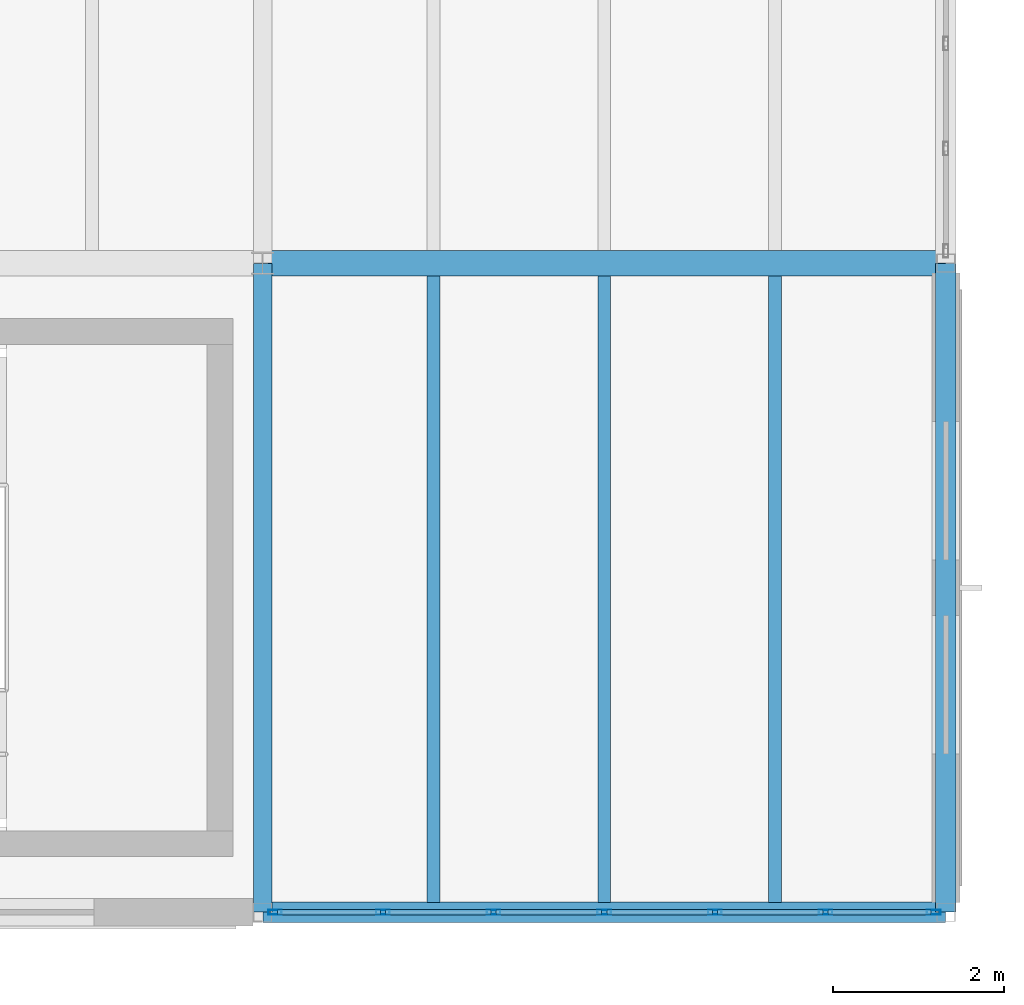
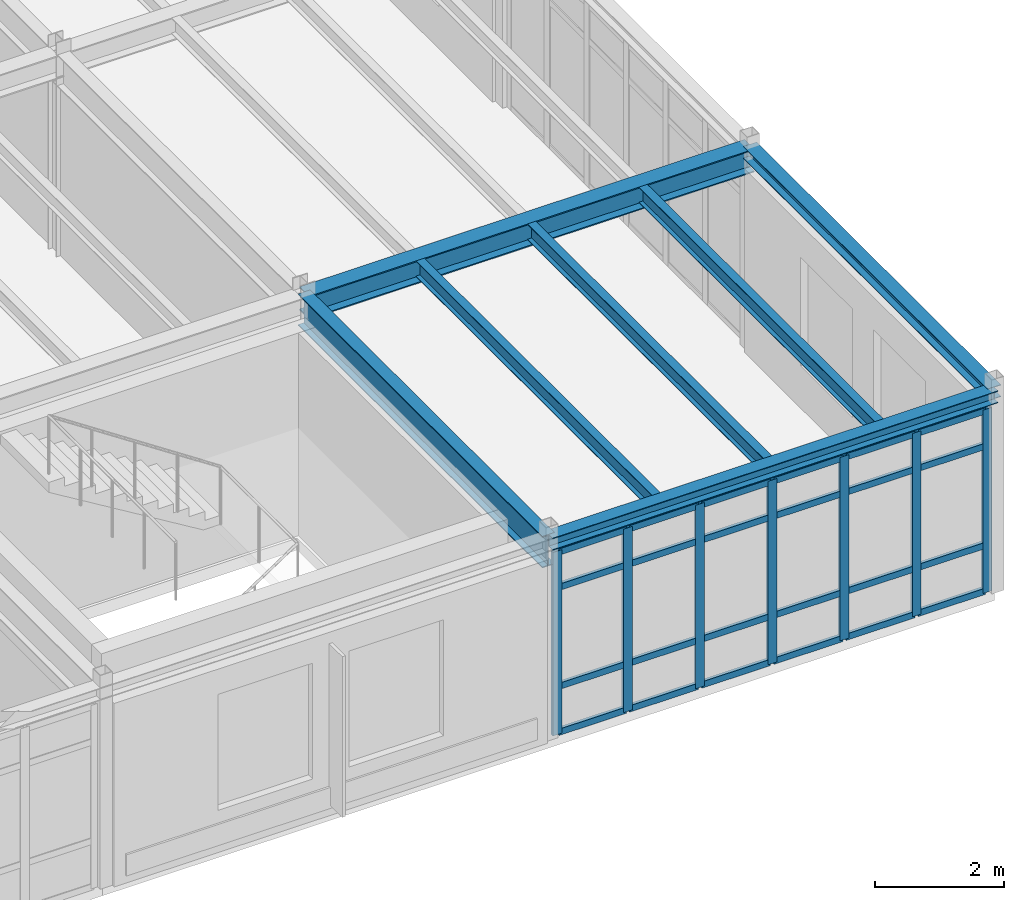
# One storey, part 60 of 114: 31 members, 7 beams, 1 element without a shape of its own.
"""IFC4 building model written with IfcOpenShell, lengths in metres."""

from ifc_helpers import new_model, si_unit, direction, frame, origin, origin_2d, place, context, subcontext, project, spatial, hollow_rectangle, i_section, extrude, material, layer, layer_set, material_profile, profile_set, type_object, element, aggregate, save


model = new_model("IFC4")

# Units and contexts
model_context = context("Model", 3, precision=1e-05, world=origin(), true_north=direction((0.0, 1.0)))
body_context = subcontext(model_context, "Body", "Model", "MODEL_VIEW")
ifc_project = project(units=[si_unit("LENGTHUNIT", "METRE"), si_unit("AREAUNIT", "SQUARE_METRE"), si_unit("VOLUMEUNIT", "CUBIC_METRE"), si_unit("PLANEANGLEUNIT", "RADIAN"), si_unit("MASSUNIT", "GRAM", prefix="KILO")], contexts=[model_context])

# Site, building, storey
site_placement = place(None, origin())
site = spatial("IfcSite", under=ifc_project, at=site_placement, CompositionType="ELEMENT")
building_placement = place(site_placement, origin())
building = spatial("IfcBuilding", under=site, at=building_placement, Name="Montecoro Central Library", CompositionType="ELEMENT")
storey_placement = place(building_placement, frame((0.0, 0.0, 13.260009765625)))
storey = spatial("IfcBuildingStorey", under=building, at=storey_placement, Name="L03", CompositionType="ELEMENT", Elevation=13.260009765625)

# Beams
ifc_material_1 = material(Name="Steel S355J2", Category="steel")
ifc_material_profile_1 = material_profile(ifc_material_1, i_section(OverallWidth=0.300048828125, OverallDepth=0.43994140625, WebThickness=0.011474609375, FlangeThickness=0.02099609375, at=origin_2d()), Name="HEA 450")
ifc_profile_set_1 = profile_set([ifc_material_profile_1], Name="Steel S355J2")
beam_type_1 = type_object("IfcBeamType", Name="BM-G-HEA450", PredefinedType="USERDEFINED", material=ifc_profile_set_1)
beam_1_placement = place(storey_placement, frame((165.0048828125, 12.60009765625, 3.60498046875), z_axis=(1.0, 0.0, 0.0), x_axis=(0.0, 1.0, 0.0)))
element("IfcBeam", 1, at=beam_1_placement, inside=storey, type_object=beam_type_1, Name="V6-L03-BX-2122-B", ObjectType="GIRDER", PredefinedType="USERDEFINED", context=body_context, shape_type="SweptSolid", body=[
    extrude(i_section(OverallWidth=0.300048828125, OverallDepth=0.43994140625, WebThickness=0.011474609375, FlangeThickness=0.02099609375, at=origin_2d()), origin(), (0.0, 0.0, 1.0), 7.990234375),
])
ifc_material_profile_2 = material_profile(ifc_material_1, i_section(OverallWidth=0.219970703125, OverallDepth=0.60009765625, WebThickness=0.011962890625, FlangeThickness=0.01904296875, at=origin_2d()), Name="IPE 600")
ifc_profile_set_2 = profile_set([ifc_material_profile_2], Name="Steel S355J2")
beam_type_2 = type_object("IfcBeamType", Name="BM-G-IPE600", PredefinedType="USERDEFINED", material=ifc_profile_set_2)
beam_2_placement = place(storey_placement, frame((165.0, 5.0048828125, 3.52490234375), z_axis=(0.0, 1.0, 0.0), x_axis=(-1.0, 0.0, 0.0)))
element("IfcBeam", 2, at=beam_2_placement, inside=storey, type_object=beam_type_2, Name="V6-L03-BY-21-AB", ObjectType="GIRDER", PredefinedType="USERDEFINED", context=body_context, shape_type="SweptSolid", body=[
    extrude(i_section(OverallWidth=0.219970703125, OverallDepth=0.60009765625, WebThickness=0.011962890625, FlangeThickness=0.01904296875, at=origin_2d()), origin(), (0.0, 0.0, 1.0), 7.590087890625),
])
ifc_material_2 = material(Name="Steel S355", Category="steel")
ifc_material_profile_3 = material_profile(ifc_material_2, i_section(OverallWidth=0.14990234375, OverallDepth=0.300048828125, WebThickness=0.007080078125, FlangeThickness=0.0107421875, at=origin_2d()), Name="IPE 300")
ifc_profile_set_3 = profile_set([ifc_material_profile_3], Name="Steel S355")
beam_type_3 = type_object("IfcBeamType", Name="BM-J-IPE300", PredefinedType="JOIST", material=ifc_profile_set_3)
for number, where, z_axis, x_axis, name in (
    (3, (167.0, 5.116943359375, 3.675048828125), (0.0, 1.0, 0.0), (-1.0, 0.0, 0.0), "V6-L03-JS-2122-AB-1"),
    (4, (169.0, 5.116943359375, 3.675048828125), (0.0, 1.0, 0.0), (-1.0, 0.0, 0.0), "V6-L03-JS-2122-AB-2"),
    (5, (171.0, 5.116943359375, 3.675048828125), (0.0, 1.0, 0.0), (-1.0, 0.0, 0.0), "V6-L03-JS-2122-AB-3"),
):
    element("IfcBeam", number, at=place(storey_placement, frame(where, z_axis=z_axis, x_axis=x_axis)), inside=storey, type_object=beam_type_3, Name=name, PredefinedType="JOIST", context=body_context, shape_type="SweptSolid", body=[
        extrude(i_section(OverallWidth=0.14990234375, OverallDepth=0.300048828125, WebThickness=0.007080078125, FlangeThickness=0.0107421875, at=origin_2d()), origin(), (0.0, 0.0, 1.0), 7.3359375),
    ])
ifc_material_profile_4 = material_profile(ifc_material_2, i_section(OverallWidth=0.239990234375, OverallDepth=0.22998046875, WebThickness=0.007568359375, FlangeThickness=0.011962890625, at=origin_2d()), Name="HEA 240")
ifc_profile_set_4 = profile_set([ifc_material_profile_4], Name="Steel S355")
beam_type_4 = type_object("IfcBeamType", Name="BM-SP-HEA240", PredefinedType="SPANDREL", material=ifc_profile_set_4)
beam_3_placement = place(storey_placement, frame((165.0048828125, 5.0, 3.7099609375), z_axis=(1.0, 0.0, 0.0), x_axis=(0.0, 1.0, 0.0)))
element("IfcBeam", 6, at=beam_3_placement, inside=storey, type_object=beam_type_4, Name="V6-L03-BX-2122-A", PredefinedType="SPANDREL", context=body_context, shape_type="SweptSolid", body=[
    extrude(i_section(OverallWidth=0.239990234375, OverallDepth=0.22998046875, WebThickness=0.007568359375, FlangeThickness=0.011962890625, at=origin_2d()), origin(), (0.0, 0.0, 1.0), 7.990234375),
])
beam_4_placement = place(storey_placement, frame((173.0, 5.0048828125, 3.7099609375), z_axis=(0.0, 1.0, 0.0), x_axis=(-1.0, 0.0, 0.0)))
element("IfcBeam", 7, at=beam_4_placement, inside=storey, type_object=beam_type_4, Name="V6-L03-BY-22-AB", PredefinedType="SPANDREL", context=body_context, shape_type="SweptSolid", body=[
    extrude(i_section(OverallWidth=0.239990234375, OverallDepth=0.22998046875, WebThickness=0.007568359375, FlangeThickness=0.011962890625, at=origin_2d()), origin(), (0.0, 0.0, 1.0), 7.590087890625),
])

# Curtain wall, members
ifc_material_3 = material(Name="Bronze-anodised aluminium and low-E glazing", Category="aluminium")
ifc_layer = layer(ifc_material_3, 0.159912109375)
ifc_layer_set = layer_set([ifc_layer], Name="Bronze-anodised aluminium and low-E glazing")
curtain_wall_type = type_object("IfcCurtainWallType", Name="CWT-068", PredefinedType="NOTDEFINED", material=ifc_layer_set)
curtain_wall_placement = place(storey_placement, origin())
curtain_wall = element("IfcCurtainWall", 8, at=curtain_wall_placement, inside=storey, type_object=curtain_wall_type, Name="V6-L03-CW-S3", PredefinedType="NOTDEFINED")
ifc_material_4 = material(Name="Bronze-anodised aluminium", Category="aluminium")
ifc_material_profile_5 = material_profile(ifc_material_4, hollow_rectangle(XDim=0.06005859375, YDim=0.159912109375, WallThickness=0.00390625, at=origin_2d()), Name="CWM 160x60x4.0")
ifc_profile_set_5 = profile_set([ifc_material_profile_5], Name="Bronze-anodised aluminium")
member_type_1 = type_object("IfcMemberType", Name="CWM-BRZ-60", PredefinedType="MULLION", material=ifc_profile_set_5)
member_1_placement = place(storey_placement, frame((165.14306640625, 5.0, 0.0), z_axis=(0.0, 0.0, 1.0), x_axis=(0.0, 1.0, 0.0)))
member_1 = element("IfcMember", 9, at=member_1_placement, type_object=member_type_1, Name="CW-068 mullion 1", PredefinedType="MULLION", context=body_context, shape_type="SweptSolid", body=[
    extrude(hollow_rectangle(XDim=0.06005859375, YDim=0.159912109375, WallThickness=0.00390625, at=origin_2d()), origin(), (0.0, 0.0, 1.0), 3.47998046875),
])
member_2_placement = place(storey_placement, frame((166.40869140625, 5.0, 0.0), z_axis=(0.0, 0.0, 1.0), x_axis=(0.0, 1.0, 0.0)))
member_2 = element("IfcMember", 10, at=member_2_placement, type_object=member_type_1, Name="CW-068 mullion 2", PredefinedType="MULLION", context=body_context, shape_type="SweptSolid", body=[
    extrude(hollow_rectangle(XDim=0.06005859375, YDim=0.159912109375, WallThickness=0.00390625, at=origin_2d()), origin(), (0.0, 0.0, 1.0), 3.47998046875),
])
member_3_placement = place(storey_placement, frame((167.704345703125, 5.0, 0.0), z_axis=(0.0, 0.0, 1.0), x_axis=(0.0, 1.0, 0.0)))
member_3 = element("IfcMember", 11, at=member_3_placement, type_object=member_type_1, Name="CW-068 mullion 3", PredefinedType="MULLION", context=body_context, shape_type="SweptSolid", body=[
    extrude(hollow_rectangle(XDim=0.06005859375, YDim=0.159912109375, WallThickness=0.00390625, at=origin_2d()), origin(), (0.0, 0.0, 1.0), 3.47998046875),
])
member_4_placement = place(storey_placement, frame((169.0, 5.0, 0.0), z_axis=(0.0, 0.0, 1.0), x_axis=(0.0, 1.0, 0.0)))
member_4 = element("IfcMember", 12, at=member_4_placement, type_object=member_type_1, Name="CW-068 mullion 4", PredefinedType="MULLION", context=body_context, shape_type="SweptSolid", body=[
    extrude(hollow_rectangle(XDim=0.06005859375, YDim=0.159912109375, WallThickness=0.00390625, at=origin_2d()), origin(), (0.0, 0.0, 1.0), 3.47998046875),
])
member_5_placement = place(storey_placement, frame((170.295654296875, 5.0, 0.0), z_axis=(0.0, 0.0, 1.0), x_axis=(0.0, 1.0, 0.0)))
member_5 = element("IfcMember", 13, at=member_5_placement, type_object=member_type_1, Name="CW-068 mullion 5", PredefinedType="MULLION", context=body_context, shape_type="SweptSolid", body=[
    extrude(hollow_rectangle(XDim=0.06005859375, YDim=0.159912109375, WallThickness=0.00390625, at=origin_2d()), origin(), (0.0, 0.0, 1.0), 3.47998046875),
])
member_6_placement = place(storey_placement, frame((171.59130859375, 5.0, 0.0), z_axis=(0.0, 0.0, 1.0), x_axis=(0.0, 1.0, 0.0)))
member_6 = element("IfcMember", 14, at=member_6_placement, type_object=member_type_1, Name="CW-068 mullion 6", PredefinedType="MULLION", context=body_context, shape_type="SweptSolid", body=[
    extrude(hollow_rectangle(XDim=0.06005859375, YDim=0.159912109375, WallThickness=0.00390625, at=origin_2d()), origin(), (0.0, 0.0, 1.0), 3.47998046875),
])
member_7_placement = place(storey_placement, frame((172.85693359375, 5.0, 0.0), z_axis=(0.0, 0.0, 1.0), x_axis=(0.0, 1.0, 0.0)))
member_7 = element("IfcMember", 15, at=member_7_placement, type_object=member_type_1, Name="CW-068 mullion 7", PredefinedType="MULLION", context=body_context, shape_type="SweptSolid", body=[
    extrude(hollow_rectangle(XDim=0.06005859375, YDim=0.159912109375, WallThickness=0.00390625, at=origin_2d()), origin(), (0.0, 0.0, 1.0), 3.47998046875),
])
ifc_material_profile_6 = material_profile(ifc_material_4, hollow_rectangle(XDim=0.06005859375, YDim=0.1201171875, WallThickness=0.00390625, at=origin_2d()), Name="CWT 120x60x4.0")
ifc_profile_set_6 = profile_set([ifc_material_profile_6], Name="Bronze-anodised aluminium")
member_type_2 = type_object("IfcMemberType", Name="CWT-BRZ-60", PredefinedType="USERDEFINED", material=ifc_profile_set_6)
member_8_placement = place(storey_placement, frame((165.173095703125, 5.0, 0.030029296875), z_axis=(1.0, 0.0, 0.0), x_axis=(0.0, 1.0, 0.0)))
member_8 = element("IfcMember", 16, at=member_8_placement, type_object=member_type_2, Name="CW-068 transom 1.1", ObjectType="TRANSOM", PredefinedType="USERDEFINED", context=body_context, shape_type="SweptSolid", body=[
    extrude(hollow_rectangle(XDim=0.06005859375, YDim=0.1201171875, WallThickness=0.00390625, at=origin_2d()), origin(), (0.0, 0.0, 1.0), 1.20556640625),
])
member_9_placement = place(storey_placement, frame((165.173095703125, 5.0, 0.89990234375), z_axis=(1.0, 0.0, 0.0), x_axis=(0.0, 1.0, 0.0)))
member_9 = element("IfcMember", 17, at=member_9_placement, type_object=member_type_2, Name="CW-068 transom 1.2", ObjectType="TRANSOM", PredefinedType="USERDEFINED", context=body_context, shape_type="SweptSolid", body=[
    extrude(hollow_rectangle(XDim=0.06005859375, YDim=0.1201171875, WallThickness=0.00390625, at=origin_2d()), origin(), (0.0, 0.0, 1.0), 1.20556640625),
])
member_10_placement = place(storey_placement, frame((165.173095703125, 5.0, 2.780029296875), z_axis=(1.0, 0.0, 0.0), x_axis=(0.0, 1.0, 0.0)))
member_10 = element("IfcMember", 18, at=member_10_placement, type_object=member_type_2, Name="CW-068 transom 1.3", ObjectType="TRANSOM", PredefinedType="USERDEFINED", context=body_context, shape_type="SweptSolid", body=[
    extrude(hollow_rectangle(XDim=0.06005859375, YDim=0.1201171875, WallThickness=0.00390625, at=origin_2d()), origin(), (0.0, 0.0, 1.0), 1.20556640625),
])
member_11_placement = place(storey_placement, frame((165.173095703125, 5.0, 3.449951171875), z_axis=(1.0, 0.0, 0.0), x_axis=(0.0, 1.0, 0.0)))
member_11 = element("IfcMember", 19, at=member_11_placement, type_object=member_type_2, Name="CW-068 transom 1.4", ObjectType="TRANSOM", PredefinedType="USERDEFINED", context=body_context, shape_type="SweptSolid", body=[
    extrude(hollow_rectangle(XDim=0.06005859375, YDim=0.1201171875, WallThickness=0.00390625, at=origin_2d()), origin(), (0.0, 0.0, 1.0), 1.20556640625),
])
member_12_placement = place(storey_placement, frame((166.438720703125, 5.0, 0.030029296875), z_axis=(1.0, 0.0, 0.0), x_axis=(0.0, 1.0, 0.0)))
member_12 = element("IfcMember", 20, at=member_12_placement, type_object=member_type_2, Name="CW-068 transom 2.1", ObjectType="TRANSOM", PredefinedType="USERDEFINED", context=body_context, shape_type="SweptSolid", body=[
    extrude(hollow_rectangle(XDim=0.06005859375, YDim=0.1201171875, WallThickness=0.00390625, at=origin_2d()), origin(), (0.0, 0.0, 1.0), 1.235595703125),
])
member_13_placement = place(storey_placement, frame((166.438720703125, 5.0, 0.89990234375), z_axis=(1.0, 0.0, 0.0), x_axis=(0.0, 1.0, 0.0)))
member_13 = element("IfcMember", 21, at=member_13_placement, type_object=member_type_2, Name="CW-068 transom 2.2", ObjectType="TRANSOM", PredefinedType="USERDEFINED", context=body_context, shape_type="SweptSolid", body=[
    extrude(hollow_rectangle(XDim=0.06005859375, YDim=0.1201171875, WallThickness=0.00390625, at=origin_2d()), origin(), (0.0, 0.0, 1.0), 1.235595703125),
])
member_14_placement = place(storey_placement, frame((166.438720703125, 5.0, 2.780029296875), z_axis=(1.0, 0.0, 0.0), x_axis=(0.0, 1.0, 0.0)))
member_14 = element("IfcMember", 22, at=member_14_placement, type_object=member_type_2, Name="CW-068 transom 2.3", ObjectType="TRANSOM", PredefinedType="USERDEFINED", context=body_context, shape_type="SweptSolid", body=[
    extrude(hollow_rectangle(XDim=0.06005859375, YDim=0.1201171875, WallThickness=0.00390625, at=origin_2d()), origin(), (0.0, 0.0, 1.0), 1.235595703125),
])
member_15_placement = place(storey_placement, frame((166.438720703125, 5.0, 3.449951171875), z_axis=(1.0, 0.0, 0.0), x_axis=(0.0, 1.0, 0.0)))
member_15 = element("IfcMember", 23, at=member_15_placement, type_object=member_type_2, Name="CW-068 transom 2.4", ObjectType="TRANSOM", PredefinedType="USERDEFINED", context=body_context, shape_type="SweptSolid", body=[
    extrude(hollow_rectangle(XDim=0.06005859375, YDim=0.1201171875, WallThickness=0.00390625, at=origin_2d()), origin(), (0.0, 0.0, 1.0), 1.235595703125),
])
member_16_placement = place(storey_placement, frame((167.734375, 5.0, 0.030029296875), z_axis=(1.0, 0.0, 0.0), x_axis=(0.0, 1.0, 0.0)))
member_16 = element("IfcMember", 24, at=member_16_placement, type_object=member_type_2, Name="CW-068 transom 3.1", ObjectType="TRANSOM", PredefinedType="USERDEFINED", context=body_context, shape_type="SweptSolid", body=[
    extrude(hollow_rectangle(XDim=0.06005859375, YDim=0.1201171875, WallThickness=0.00390625, at=origin_2d()), origin(), (0.0, 0.0, 1.0), 1.235595703125),
])
member_17_placement = place(storey_placement, frame((167.734375, 5.0, 0.89990234375), z_axis=(1.0, 0.0, 0.0), x_axis=(0.0, 1.0, 0.0)))
member_17 = element("IfcMember", 25, at=member_17_placement, type_object=member_type_2, Name="CW-068 transom 3.2", ObjectType="TRANSOM", PredefinedType="USERDEFINED", context=body_context, shape_type="SweptSolid", body=[
    extrude(hollow_rectangle(XDim=0.06005859375, YDim=0.1201171875, WallThickness=0.00390625, at=origin_2d()), origin(), (0.0, 0.0, 1.0), 1.235595703125),
])
member_18_placement = place(storey_placement, frame((167.734375, 5.0, 2.780029296875), z_axis=(1.0, 0.0, 0.0), x_axis=(0.0, 1.0, 0.0)))
member_18 = element("IfcMember", 26, at=member_18_placement, type_object=member_type_2, Name="CW-068 transom 3.3", ObjectType="TRANSOM", PredefinedType="USERDEFINED", context=body_context, shape_type="SweptSolid", body=[
    extrude(hollow_rectangle(XDim=0.06005859375, YDim=0.1201171875, WallThickness=0.00390625, at=origin_2d()), origin(), (0.0, 0.0, 1.0), 1.235595703125),
])
member_19_placement = place(storey_placement, frame((167.734375, 5.0, 3.449951171875), z_axis=(1.0, 0.0, 0.0), x_axis=(0.0, 1.0, 0.0)))
member_19 = element("IfcMember", 27, at=member_19_placement, type_object=member_type_2, Name="CW-068 transom 3.4", ObjectType="TRANSOM", PredefinedType="USERDEFINED", context=body_context, shape_type="SweptSolid", body=[
    extrude(hollow_rectangle(XDim=0.06005859375, YDim=0.1201171875, WallThickness=0.00390625, at=origin_2d()), origin(), (0.0, 0.0, 1.0), 1.235595703125),
])
member_20_placement = place(storey_placement, frame((169.030029296875, 5.0, 0.030029296875), z_axis=(1.0, 0.0, 0.0), x_axis=(0.0, 1.0, 0.0)))
member_20 = element("IfcMember", 28, at=member_20_placement, type_object=member_type_2, Name="CW-068 transom 4.1", ObjectType="TRANSOM", PredefinedType="USERDEFINED", context=body_context, shape_type="SweptSolid", body=[
    extrude(hollow_rectangle(XDim=0.06005859375, YDim=0.1201171875, WallThickness=0.00390625, at=origin_2d()), origin(), (0.0, 0.0, 1.0), 1.235595703125),
])
member_21_placement = place(storey_placement, frame((169.030029296875, 5.0, 0.89990234375), z_axis=(1.0, 0.0, 0.0), x_axis=(0.0, 1.0, 0.0)))
member_21 = element("IfcMember", 29, at=member_21_placement, type_object=member_type_2, Name="CW-068 transom 4.2", ObjectType="TRANSOM", PredefinedType="USERDEFINED", context=body_context, shape_type="SweptSolid", body=[
    extrude(hollow_rectangle(XDim=0.06005859375, YDim=0.1201171875, WallThickness=0.00390625, at=origin_2d()), origin(), (0.0, 0.0, 1.0), 1.235595703125),
])
member_22_placement = place(storey_placement, frame((169.030029296875, 5.0, 2.780029296875), z_axis=(1.0, 0.0, 0.0), x_axis=(0.0, 1.0, 0.0)))
member_22 = element("IfcMember", 30, at=member_22_placement, type_object=member_type_2, Name="CW-068 transom 4.3", ObjectType="TRANSOM", PredefinedType="USERDEFINED", context=body_context, shape_type="SweptSolid", body=[
    extrude(hollow_rectangle(XDim=0.06005859375, YDim=0.1201171875, WallThickness=0.00390625, at=origin_2d()), origin(), (0.0, 0.0, 1.0), 1.235595703125),
])
member_23_placement = place(storey_placement, frame((169.030029296875, 5.0, 3.449951171875), z_axis=(1.0, 0.0, 0.0), x_axis=(0.0, 1.0, 0.0)))
member_23 = element("IfcMember", 31, at=member_23_placement, type_object=member_type_2, Name="CW-068 transom 4.4", ObjectType="TRANSOM", PredefinedType="USERDEFINED", context=body_context, shape_type="SweptSolid", body=[
    extrude(hollow_rectangle(XDim=0.06005859375, YDim=0.1201171875, WallThickness=0.00390625, at=origin_2d()), origin(), (0.0, 0.0, 1.0), 1.235595703125),
])
member_24_placement = place(storey_placement, frame((170.32568359375, 5.0, 0.030029296875), z_axis=(1.0, 0.0, 0.0), x_axis=(0.0, 1.0, 0.0)))
member_24 = element("IfcMember", 32, at=member_24_placement, type_object=member_type_2, Name="CW-068 transom 5.1", ObjectType="TRANSOM", PredefinedType="USERDEFINED", context=body_context, shape_type="SweptSolid", body=[
    extrude(hollow_rectangle(XDim=0.06005859375, YDim=0.1201171875, WallThickness=0.00390625, at=origin_2d()), origin(), (0.0, 0.0, 1.0), 1.235595703125),
])
member_25_placement = place(storey_placement, frame((170.32568359375, 5.0, 0.89990234375), z_axis=(1.0, 0.0, 0.0), x_axis=(0.0, 1.0, 0.0)))
member_25 = element("IfcMember", 33, at=member_25_placement, type_object=member_type_2, Name="CW-068 transom 5.2", ObjectType="TRANSOM", PredefinedType="USERDEFINED", context=body_context, shape_type="SweptSolid", body=[
    extrude(hollow_rectangle(XDim=0.06005859375, YDim=0.1201171875, WallThickness=0.00390625, at=origin_2d()), origin(), (0.0, 0.0, 1.0), 1.235595703125),
])
member_26_placement = place(storey_placement, frame((170.32568359375, 5.0, 2.780029296875), z_axis=(1.0, 0.0, 0.0), x_axis=(0.0, 1.0, 0.0)))
member_26 = element("IfcMember", 34, at=member_26_placement, type_object=member_type_2, Name="CW-068 transom 5.3", ObjectType="TRANSOM", PredefinedType="USERDEFINED", context=body_context, shape_type="SweptSolid", body=[
    extrude(hollow_rectangle(XDim=0.06005859375, YDim=0.1201171875, WallThickness=0.00390625, at=origin_2d()), origin(), (0.0, 0.0, 1.0), 1.235595703125),
])
member_27_placement = place(storey_placement, frame((170.32568359375, 5.0, 3.449951171875), z_axis=(1.0, 0.0, 0.0), x_axis=(0.0, 1.0, 0.0)))
member_27 = element("IfcMember", 35, at=member_27_placement, type_object=member_type_2, Name="CW-068 transom 5.4", ObjectType="TRANSOM", PredefinedType="USERDEFINED", context=body_context, shape_type="SweptSolid", body=[
    extrude(hollow_rectangle(XDim=0.06005859375, YDim=0.1201171875, WallThickness=0.00390625, at=origin_2d()), origin(), (0.0, 0.0, 1.0), 1.235595703125),
])
member_28_placement = place(storey_placement, frame((171.621337890625, 5.0, 0.030029296875), z_axis=(1.0, 0.0, 0.0), x_axis=(0.0, 1.0, 0.0)))
member_28 = element("IfcMember", 36, at=member_28_placement, type_object=member_type_2, Name="CW-068 transom 6.1", ObjectType="TRANSOM", PredefinedType="USERDEFINED", context=body_context, shape_type="SweptSolid", body=[
    extrude(hollow_rectangle(XDim=0.06005859375, YDim=0.1201171875, WallThickness=0.00390625, at=origin_2d()), origin(), (0.0, 0.0, 1.0), 1.20556640625),
])
member_29_placement = place(storey_placement, frame((171.621337890625, 5.0, 0.89990234375), z_axis=(1.0, 0.0, 0.0), x_axis=(0.0, 1.0, 0.0)))
member_29 = element("IfcMember", 37, at=member_29_placement, type_object=member_type_2, Name="CW-068 transom 6.2", ObjectType="TRANSOM", PredefinedType="USERDEFINED", context=body_context, shape_type="SweptSolid", body=[
    extrude(hollow_rectangle(XDim=0.06005859375, YDim=0.1201171875, WallThickness=0.00390625, at=origin_2d()), origin(), (0.0, 0.0, 1.0), 1.20556640625),
])
member_30_placement = place(storey_placement, frame((171.621337890625, 5.0, 2.780029296875), z_axis=(1.0, 0.0, 0.0), x_axis=(0.0, 1.0, 0.0)))
member_30 = element("IfcMember", 38, at=member_30_placement, type_object=member_type_2, Name="CW-068 transom 6.3", ObjectType="TRANSOM", PredefinedType="USERDEFINED", context=body_context, shape_type="SweptSolid", body=[
    extrude(hollow_rectangle(XDim=0.06005859375, YDim=0.1201171875, WallThickness=0.00390625, at=origin_2d()), origin(), (0.0, 0.0, 1.0), 1.20556640625),
])
member_31_placement = place(storey_placement, frame((171.621337890625, 5.0, 3.449951171875), z_axis=(1.0, 0.0, 0.0), x_axis=(0.0, 1.0, 0.0)))
member_31 = element("IfcMember", 39, at=member_31_placement, type_object=member_type_2, Name="CW-068 transom 6.4", ObjectType="TRANSOM", PredefinedType="USERDEFINED", context=body_context, shape_type="SweptSolid", body=[
    extrude(hollow_rectangle(XDim=0.06005859375, YDim=0.1201171875, WallThickness=0.00390625, at=origin_2d()), origin(), (0.0, 0.0, 1.0), 1.20556640625),
])
aggregate(curtain_wall, [member_1, member_2, member_3, member_4, member_5, member_6, member_7, member_8, member_9, member_10, member_11, member_12, member_13, member_14, member_15, member_16, member_17, member_18, member_19, member_20, member_21, member_22, member_23, member_24, member_25, member_26, member_27, member_28, member_29, member_30, member_31])

save(model, "model.ifc")
